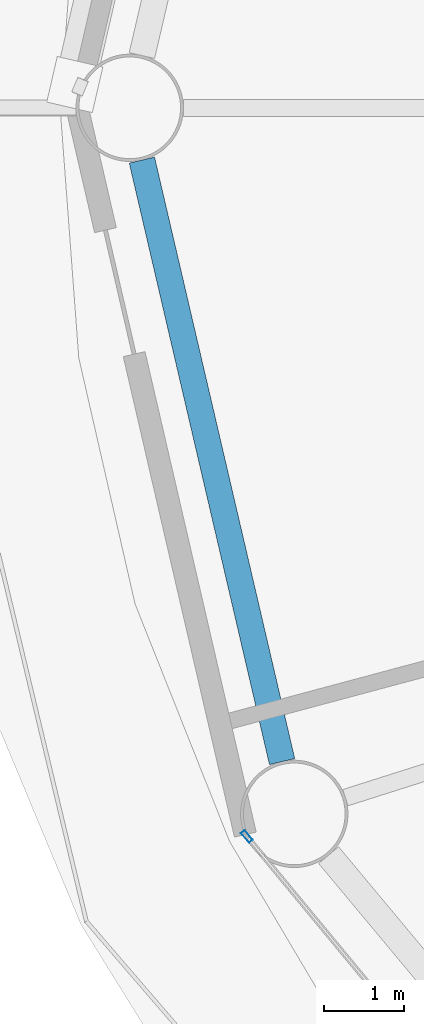
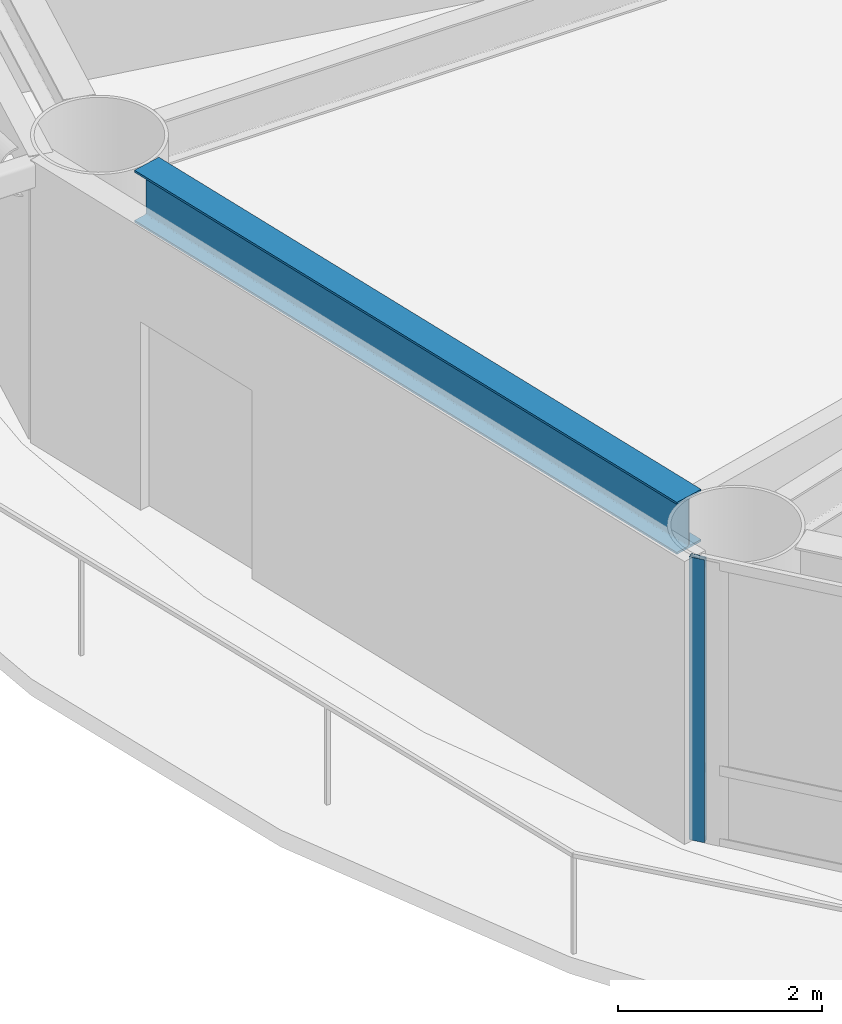
# One storey, part 4 of 26: 1 beam, 1 member, 1 element without a shape of its own.
"""IFC4 building model written with IfcOpenShell, lengths in metres."""

from ifc_helpers import new_model, si_unit, direction, frame, origin, origin_2d, place, context, subcontext, project, spatial, hollow_rectangle, i_section, extrude, material, layer, layer_set, material_profile, profile_set, type_object, element, aggregate, save


model = new_model("IFC4")

# Units and contexts
model_context = context("Model", 3, precision=1e-05, world=origin(), true_north=direction((0.0, 1.0)))
body_context = subcontext(model_context, "Body", "Model", "MODEL_VIEW")
ifc_project = project(units=[si_unit("LENGTHUNIT", "METRE"), si_unit("AREAUNIT", "SQUARE_METRE"), si_unit("VOLUMEUNIT", "CUBIC_METRE"), si_unit("PLANEANGLEUNIT", "RADIAN"), si_unit("MASSUNIT", "GRAM", prefix="KILO")], contexts=[model_context])

# Site, building, storey
site_placement = place(None, origin())
site = spatial("IfcSite", under=ifc_project, at=site_placement, CompositionType="ELEMENT")
building_placement = place(site_placement, origin())
building = spatial("IfcBuilding", under=site, at=building_placement, Name="Sarneth Arch Tower", CompositionType="ELEMENT")
storey_placement = place(building_placement, frame((0.0, 0.0, 46.199951171875)))
storey = spatial("IfcBuildingStorey", under=building, at=storey_placement, Name="L10", CompositionType="ELEMENT", Elevation=46.199951171875)

# Beam
ifc_material_1 = material(Name="Steel S355", Category="steel")
ifc_material_profile_1 = material_profile(ifc_material_1, i_section(OverallWidth=0.326904296875, OverallDepth=0.6220703125, WebThickness=0.015380859375, FlangeThickness=0.0244140625, FilletRadius=0.01904296875, at=origin_2d()), Name="W610x195")
ifc_profile_set_1 = profile_set([ifc_material_profile_1], Name="Steel S355")
beam_type = type_object("IfcBeamType", Name="BM-SPAN-610A", PredefinedType="SPANDREL", material=ifc_profile_set_1)
beam_placement = place(storey_placement, frame((18.118408203125, 41.342529296875, 3.069091796875), z_axis=(0.227001042423, -0.973894515201, 0.0), x_axis=(0.973894515201, 0.227001042423, 0.0)))
element("IfcBeam", 1, at=beam_placement, inside=storey, type_object=beam_type, Name="L10 Perimeter spandrel beam 09", PredefinedType="SPANDREL", context=body_context, shape_type="SweptSolid", body=[
    extrude(i_section(OverallWidth=0.326904296875, OverallDepth=0.6220703125, WebThickness=0.015380859375, FlangeThickness=0.0244140625, FilletRadius=0.01904296875, at=origin_2d()), origin(), (0.0, 0.0, 1.0), 7.76611328125),
])

# Curtain wall, member
ifc_material_2 = material(Name="Anodised aluminium Type AA25 and solar-control low-e laminated IGU", Category="aluminium")
ifc_layer = layer(ifc_material_2, 0.159912109375)
ifc_layer_set = layer_set([ifc_layer], Name="Anodised aluminium Type AA25 and solar-control low-e laminated IGU")
curtain_wall_type = type_object("IfcCurtainWallType", Name="CW-HOTEL-LOW", PredefinedType="NOTDEFINED", material=ifc_layer_set)
curtain_wall_placement = place(storey_placement, origin())
curtain_wall = element("IfcCurtainWall", 2, at=curtain_wall_placement, inside=storey, type_object=curtain_wall_type, Name="L10 Unitised curtain wall facet 10", PredefinedType="NOTDEFINED")
ifc_material_3 = material(Name="Anodised Aluminium 6063-T6", Category="aluminium")
ifc_material_profile_2 = material_profile(ifc_material_3, hollow_rectangle(XDim=0.06005859375, YDim=0.159912109375, WallThickness=0.00390625, at=origin_2d()), Name="AL-MULL-160x60x4")
ifc_profile_set_2 = profile_set([ifc_material_profile_2], Name="Anodised Aluminium 6063-T6")
member_type = type_object("IfcMemberType", Name="CW-MULLION", PredefinedType="MULLION", material=ifc_profile_set_2)
member_placement = place(storey_placement, frame((19.438232421875, 32.83837890625, 0.0), z_axis=(0.0, 0.0, 1.0), x_axis=(0.770622960278, 0.637291340827, 0.0)))
member = element("IfcMember", 3, at=member_placement, type_object=member_type, Name="CW-SYS-3 mullion 1", PredefinedType="MULLION", context=body_context, shape_type="SweptSolid", body=[
    extrude(hollow_rectangle(XDim=0.06005859375, YDim=0.159912109375, WallThickness=0.00390625, at=origin_2d()), origin(), (0.0, 0.0, 1.0), 3.380126953125),
])
aggregate(curtain_wall, [member])

save(model, "model.ifc")
